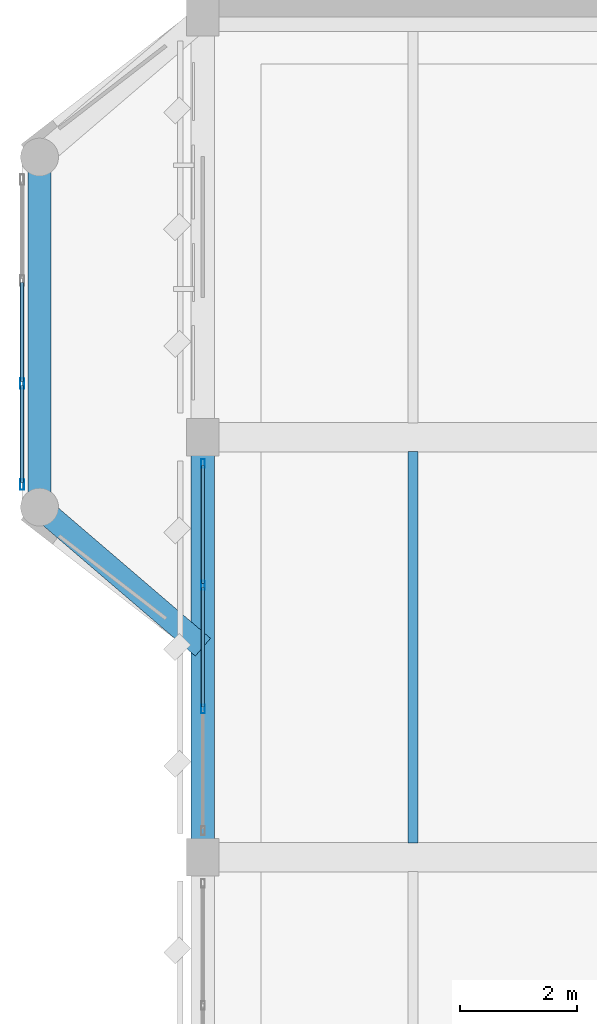
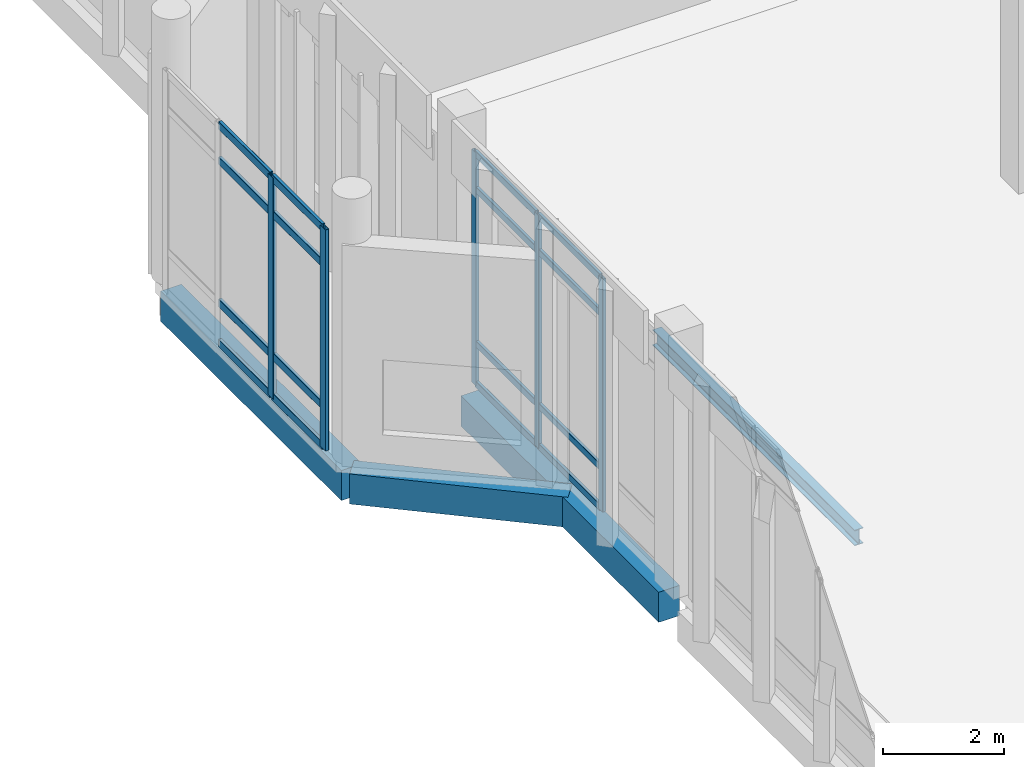
# One storey, part 23 of 180: 21 members, 4 beams, 2 elements without a shape of their own.
"""IFC4 building model written with IfcOpenShell, lengths in metres."""

from ifc_helpers import new_model, si_unit, direction, frame, origin, origin_2d, place, context, subcontext, project, spatial, rectangle, hollow_rectangle, i_section, extrude, material, material_profile, profile_set, type_object, element, aggregate, save


model = new_model("IFC4")

# Units and contexts
model_context = context("Model", 3, precision=1e-05, world=origin(), true_north=direction((0.0, 1.0)))
body_context = subcontext(model_context, "Body", "Model", "MODEL_VIEW")
ifc_project = project(units=[si_unit("LENGTHUNIT", "METRE"), si_unit("AREAUNIT", "SQUARE_METRE"), si_unit("VOLUMEUNIT", "CUBIC_METRE"), si_unit("PLANEANGLEUNIT", "RADIAN"), si_unit("MASSUNIT", "GRAM", prefix="KILO")], contexts=[model_context])

# Site, building, storey
site_placement = place(None, origin())
site = spatial("IfcSite", under=ifc_project, at=site_placement, CompositionType="ELEMENT")
building_placement = place(site_placement, origin())
building = spatial("IfcBuilding", under=site, at=building_placement, Name="Lusvemor Sports Hall", CompositionType="ELEMENT")
storey_placement = place(building_placement, frame((0.0, 0.0, 5.39990234375)))
storey = spatial("IfcBuildingStorey", under=building, at=storey_placement, Name="L01", CompositionType="ELEMENT", Elevation=5.39990234375)

# Curtain wall, members
ifc_material_1 = material(Name="Thermally broken bronze-anodized aluminium", Category="aluminium")
curtain_wall_type_1 = type_object("IfcCurtainWallType", Name="CW_FOYER_A", PredefinedType="NOTDEFINED", material=ifc_material_1)
curtain_wall_1_placement = place(storey_placement, origin())
curtain_wall_1 = element("IfcCurtainWall", 1, at=curtain_wall_1_placement, inside=storey, type_object=curtain_wall_type_1, Name="Curtain Wall CW-BOW-W1-L01-M", PredefinedType="NOTDEFINED")
ifc_material_2 = material(Name="Thermally broken bronze-anodized aluminium", Category="aluminium")
ifc_material_profile_1 = material_profile(ifc_material_2, hollow_rectangle(XDim=0.070068359375, YDim=0.179931640625, WallThickness=0.0048828125, InnerFilletRadius=0.0048828125, OuterFilletRadius=0.010009765625, at=origin_2d()), Name="CWMUL180x70x5")
ifc_profile_set_1 = profile_set([ifc_material_profile_1], Name="Thermally broken bronze-anodized aluminium")
member_type_1 = type_object("IfcMemberType", Name="CW_MUL_A", PredefinedType="MULLION", material=ifc_profile_set_1)
member_1_placement = place(storey_placement, frame((-3.10009765625, 60.385009765625, 0.0), z_axis=(0.0, 0.0, 1.0), x_axis=(-1.0, 0.0, 0.0)))
member_1 = element("IfcMember", 2, at=member_1_placement, type_object=member_type_1, Name="CW01 mullion 1", PredefinedType="MULLION", context=body_context, shape_type="SweptSolid", body=[
    extrude(hollow_rectangle(XDim=0.070068359375, YDim=0.179931640625, WallThickness=0.0048828125, InnerFilletRadius=0.0048828125, OuterFilletRadius=0.010009765625, at=origin_2d()), origin(), (0.0, 0.0, 1.0), 4.47998046875),
])
member_2_placement = place(storey_placement, frame((-3.10009765625, 62.11669921875, 0.0), z_axis=(0.0, 0.0, 1.0), x_axis=(-1.0, 0.0, 0.0)))
member_2 = element("IfcMember", 3, at=member_2_placement, type_object=member_type_1, Name="CW01 mullion 2", PredefinedType="MULLION", context=body_context, shape_type="SweptSolid", body=[
    extrude(hollow_rectangle(XDim=0.070068359375, YDim=0.179931640625, WallThickness=0.0048828125, InnerFilletRadius=0.0048828125, OuterFilletRadius=0.010009765625, at=origin_2d()), origin(), (0.0, 0.0, 1.0), 4.47998046875),
])

ifc_material_3 = material(Name="Thermally broken bronze-anodized aluminium", Category="aluminium")
curtain_wall_type_2 = type_object("IfcCurtainWallType", Name="CW_WING_B", PredefinedType="NOTDEFINED", material=ifc_material_3)
curtain_wall_2_placement = place(storey_placement, origin())
curtain_wall_2 = element("IfcCurtainWall", 4, at=curtain_wall_2_placement, inside=storey, type_object=curtain_wall_type_2, Name="Curtain Wall CW-L01-W-0-1", PredefinedType="NOTDEFINED")
ifc_material_4 = material(Name="Thermally broken bronze-anodized aluminium", Category="aluminium")
ifc_material_profile_2 = material_profile(ifc_material_4, hollow_rectangle(XDim=0.06494140625, YDim=0.14990234375, WallThickness=0.00390625, InnerFilletRadius=0.00390625, OuterFilletRadius=0.008056640625, at=origin_2d()), Name="CWMUL150x65x4")
ifc_profile_set_2 = profile_set([ifc_material_profile_2], Name="Thermally broken bronze-anodized aluminium")
member_type_2 = type_object("IfcMemberType", Name="CW_MUL_B", PredefinedType="MULLION", material=ifc_profile_set_2)
member_3_placement = place(storey_placement, frame((0.0, 56.5400390625, 0.0), z_axis=(0.0, 0.0, 1.0), x_axis=(-1.0, 0.0, 0.0)))
member_3 = element("IfcMember", 5, at=member_3_placement, type_object=member_type_2, Name="CW02 mullion 2", PredefinedType="MULLION", context=body_context, shape_type="SweptSolid", body=[
    extrude(hollow_rectangle(XDim=0.06494140625, YDim=0.14990234375, WallThickness=0.00390625, InnerFilletRadius=0.00390625, OuterFilletRadius=0.008056640625, at=origin_2d()), origin(), (0.0, 0.0, 1.0), 4.72021484375),
])
member_4_placement = place(storey_placement, frame((0.0, 58.659912109375, 0.0), z_axis=(0.0, 0.0, 1.0), x_axis=(-1.0, 0.0, 0.0)))
member_4 = element("IfcMember", 6, at=member_4_placement, type_object=member_type_2, Name="CW02 mullion 3", PredefinedType="MULLION", context=body_context, shape_type="SweptSolid", body=[
    extrude(hollow_rectangle(XDim=0.06494140625, YDim=0.14990234375, WallThickness=0.00390625, InnerFilletRadius=0.00390625, OuterFilletRadius=0.008056640625, at=origin_2d()), origin(), (0.0, 0.0, 1.0), 4.72021484375),
])
member_5_placement = place(storey_placement, frame((0.0, 60.74755859375, 0.0), z_axis=(0.0, 0.0, 1.0), x_axis=(-1.0, 0.0, 0.0)))
member_5 = element("IfcMember", 7, at=member_5_placement, type_object=member_type_2, Name="CW02 mullion 4", PredefinedType="MULLION", context=body_context, shape_type="SweptSolid", body=[
    extrude(hollow_rectangle(XDim=0.06494140625, YDim=0.14990234375, WallThickness=0.00390625, InnerFilletRadius=0.00390625, OuterFilletRadius=0.008056640625, at=origin_2d()), origin(), (0.0, 0.0, 1.0), 4.72021484375),
])

# Member
ifc_material_5 = material(Name="Thermally broken bronze-anodized aluminium", Category="aluminium")
ifc_material_profile_3 = material_profile(ifc_material_5, hollow_rectangle(XDim=0.06494140625, YDim=0.159912109375, WallThickness=0.00390625, InnerFilletRadius=0.00390625, OuterFilletRadius=0.008056640625, at=origin_2d()), Name="CWTRN160x65x4")
ifc_profile_set_3 = profile_set([ifc_material_profile_3], Name="Thermally broken bronze-anodized aluminium")
member_type_3 = type_object("IfcMemberType", Name="CW_TRN_A", PredefinedType="USERDEFINED", material=ifc_profile_set_3)
member_6_placement = place(storey_placement, frame((-3.10009765625, 60.419921875, 0.03271484375), z_axis=(0.0, 1.0, 0.0), x_axis=(-1.0, 0.0, 0.0)))
member_6 = element("IfcMember", 8, at=member_6_placement, type_object=member_type_3, Name="CW01 transom 1.1", ObjectType="TRANSOM", PredefinedType="USERDEFINED", context=body_context, shape_type="SweptSolid", body=[
    extrude(hollow_rectangle(XDim=0.06494140625, YDim=0.159912109375, WallThickness=0.00390625, InnerFilletRadius=0.00390625, OuterFilletRadius=0.008056640625, at=origin_2d()), origin(), (0.0, 0.0, 1.0), 1.661865234375),
])

member_7_placement = place(storey_placement, frame((-3.10009765625, 60.419921875, 0.85009765625), z_axis=(0.0, 1.0, 0.0), x_axis=(-1.0, 0.0, 0.0)))
member_7 = element("IfcMember", 9, at=member_7_placement, type_object=member_type_3, Name="CW01 transom 1.2", ObjectType="TRANSOM", PredefinedType="USERDEFINED", context=body_context, shape_type="SweptSolid", body=[
    extrude(hollow_rectangle(XDim=0.06494140625, YDim=0.159912109375, WallThickness=0.00390625, InnerFilletRadius=0.00390625, OuterFilletRadius=0.008056640625, at=origin_2d()), origin(), (0.0, 0.0, 1.0), 1.661865234375),
])

member_8_placement = place(storey_placement, frame((-3.10009765625, 60.419921875, 3.72998046875), z_axis=(0.0, 1.0, 0.0), x_axis=(-1.0, 0.0, 0.0)))
member_8 = element("IfcMember", 10, at=member_8_placement, type_object=member_type_3, Name="CW01 transom 1.3", ObjectType="TRANSOM", PredefinedType="USERDEFINED", context=body_context, shape_type="SweptSolid", body=[
    extrude(hollow_rectangle(XDim=0.06494140625, YDim=0.159912109375, WallThickness=0.00390625, InnerFilletRadius=0.00390625, OuterFilletRadius=0.008056640625, at=origin_2d()), origin(), (0.0, 0.0, 1.0), 1.661865234375),
])

member_9_placement = place(storey_placement, frame((-3.10009765625, 60.419921875, 4.447509765625), z_axis=(0.0, 1.0, 0.0), x_axis=(-1.0, 0.0, 0.0)))
member_9 = element("IfcMember", 11, at=member_9_placement, type_object=member_type_3, Name="CW01 transom 1.4", ObjectType="TRANSOM", PredefinedType="USERDEFINED", context=body_context, shape_type="SweptSolid", body=[
    extrude(hollow_rectangle(XDim=0.06494140625, YDim=0.159912109375, WallThickness=0.00390625, InnerFilletRadius=0.00390625, OuterFilletRadius=0.008056640625, at=origin_2d()), origin(), (0.0, 0.0, 1.0), 1.661865234375),
])

member_10_placement = place(storey_placement, frame((-3.10009765625, 62.151611328125, 0.03271484375), z_axis=(0.0, 1.0, 0.0), x_axis=(-1.0, 0.0, 0.0)))
member_10 = element("IfcMember", 12, at=member_10_placement, type_object=member_type_3, Name="CW01 transom 2.1", ObjectType="TRANSOM", PredefinedType="USERDEFINED", context=body_context, shape_type="SweptSolid", body=[
    extrude(hollow_rectangle(XDim=0.06494140625, YDim=0.159912109375, WallThickness=0.00390625, InnerFilletRadius=0.00390625, OuterFilletRadius=0.008056640625, at=origin_2d()), origin(), (0.0, 0.0, 1.0), 1.69677734375),
])

member_11_placement = place(storey_placement, frame((-3.10009765625, 62.151611328125, 0.85009765625), z_axis=(0.0, 1.0, 0.0), x_axis=(-1.0, 0.0, 0.0)))
member_11 = element("IfcMember", 13, at=member_11_placement, type_object=member_type_3, Name="CW01 transom 2.2", ObjectType="TRANSOM", PredefinedType="USERDEFINED", context=body_context, shape_type="SweptSolid", body=[
    extrude(hollow_rectangle(XDim=0.06494140625, YDim=0.159912109375, WallThickness=0.00390625, InnerFilletRadius=0.00390625, OuterFilletRadius=0.008056640625, at=origin_2d()), origin(), (0.0, 0.0, 1.0), 1.69677734375),
])

member_12_placement = place(storey_placement, frame((-3.10009765625, 62.151611328125, 3.72998046875), z_axis=(0.0, 1.0, 0.0), x_axis=(-1.0, 0.0, 0.0)))
member_12 = element("IfcMember", 14, at=member_12_placement, type_object=member_type_3, Name="CW01 transom 2.3", ObjectType="TRANSOM", PredefinedType="USERDEFINED", context=body_context, shape_type="SweptSolid", body=[
    extrude(hollow_rectangle(XDim=0.06494140625, YDim=0.159912109375, WallThickness=0.00390625, InnerFilletRadius=0.00390625, OuterFilletRadius=0.008056640625, at=origin_2d()), origin(), (0.0, 0.0, 1.0), 1.69677734375),
])

member_13_placement = place(storey_placement, frame((-3.10009765625, 62.151611328125, 4.447509765625), z_axis=(0.0, 1.0, 0.0), x_axis=(-1.0, 0.0, 0.0)))
member_13 = element("IfcMember", 15, at=member_13_placement, type_object=member_type_3, Name="CW01 transom 2.4", ObjectType="TRANSOM", PredefinedType="USERDEFINED", context=body_context, shape_type="SweptSolid", body=[
    extrude(hollow_rectangle(XDim=0.06494140625, YDim=0.159912109375, WallThickness=0.00390625, InnerFilletRadius=0.00390625, OuterFilletRadius=0.008056640625, at=origin_2d()), origin(), (0.0, 0.0, 1.0), 1.69677734375),
])

aggregate(curtain_wall_1, [member_1, member_2, member_6, member_7, member_8, member_9, member_10, member_11, member_12, member_13])

ifc_material_6 = material(Name="Thermally broken bronze-anodized aluminium", Category="aluminium")
ifc_material_profile_4 = material_profile(ifc_material_6, hollow_rectangle(XDim=0.06005859375, YDim=0.135009765625, WallThickness=0.00390625, InnerFilletRadius=0.00390625, OuterFilletRadius=0.008056640625, at=origin_2d()), Name="CWTRN135x60x4")
ifc_profile_set_4 = profile_set([ifc_material_profile_4], Name="Thermally broken bronze-anodized aluminium")
member_type_4 = type_object("IfcMemberType", Name="CW_TRN_B", PredefinedType="USERDEFINED", material=ifc_profile_set_4)
member_14_placement = place(storey_placement, frame((0.0, 56.572509765625, 0.030029296875), z_axis=(0.0, 1.0, 0.0), x_axis=(-1.0, 0.0, 0.0)))
member_14 = element("IfcMember", 16, at=member_14_placement, type_object=member_type_4, Name="CW02 transom 2.1", ObjectType="TRANSOM", PredefinedType="USERDEFINED", context=body_context, shape_type="SweptSolid", body=[
    extrude(hollow_rectangle(XDim=0.06005859375, YDim=0.135009765625, WallThickness=0.00390625, InnerFilletRadius=0.00390625, OuterFilletRadius=0.008056640625, at=origin_2d()), origin(), (0.0, 0.0, 1.0), 2.054931640625),
])

member_15_placement = place(storey_placement, frame((0.0, 56.572509765625, 0.85009765625), z_axis=(0.0, 1.0, 0.0), x_axis=(-1.0, 0.0, 0.0)))
member_15 = element("IfcMember", 17, at=member_15_placement, type_object=member_type_4, Name="CW02 transom 2.2", ObjectType="TRANSOM", PredefinedType="USERDEFINED", context=body_context, shape_type="SweptSolid", body=[
    extrude(hollow_rectangle(XDim=0.06005859375, YDim=0.135009765625, WallThickness=0.00390625, InnerFilletRadius=0.00390625, OuterFilletRadius=0.008056640625, at=origin_2d()), origin(), (0.0, 0.0, 1.0), 2.054931640625),
])

member_16_placement = place(storey_placement, frame((0.0, 56.572509765625, 3.97021484375), z_axis=(0.0, 1.0, 0.0), x_axis=(-1.0, 0.0, 0.0)))
member_16 = element("IfcMember", 18, at=member_16_placement, type_object=member_type_4, Name="CW02 transom 2.3", ObjectType="TRANSOM", PredefinedType="USERDEFINED", context=body_context, shape_type="SweptSolid", body=[
    extrude(hollow_rectangle(XDim=0.06005859375, YDim=0.135009765625, WallThickness=0.00390625, InnerFilletRadius=0.00390625, OuterFilletRadius=0.008056640625, at=origin_2d()), origin(), (0.0, 0.0, 1.0), 2.054931640625),
])

member_17_placement = place(storey_placement, frame((0.0, 56.572509765625, 4.690185546875), z_axis=(0.0, 1.0, 0.0), x_axis=(-1.0, 0.0, 0.0)))
member_17 = element("IfcMember", 19, at=member_17_placement, type_object=member_type_4, Name="CW02 transom 2.4", ObjectType="TRANSOM", PredefinedType="USERDEFINED", context=body_context, shape_type="SweptSolid", body=[
    extrude(hollow_rectangle(XDim=0.06005859375, YDim=0.135009765625, WallThickness=0.00390625, InnerFilletRadius=0.00390625, OuterFilletRadius=0.008056640625, at=origin_2d()), origin(), (0.0, 0.0, 1.0), 2.054931640625),
])

member_18_placement = place(storey_placement, frame((0.0, 58.6923828125, 0.030029296875), z_axis=(0.0, 1.0, 0.0), x_axis=(-1.0, 0.0, 0.0)))
member_18 = element("IfcMember", 20, at=member_18_placement, type_object=member_type_4, Name="CW02 transom 3.1", ObjectType="TRANSOM", PredefinedType="USERDEFINED", context=body_context, shape_type="SweptSolid", body=[
    extrude(hollow_rectangle(XDim=0.06005859375, YDim=0.135009765625, WallThickness=0.00390625, InnerFilletRadius=0.00390625, OuterFilletRadius=0.008056640625, at=origin_2d()), origin(), (0.0, 0.0, 1.0), 2.022705078125),
])

member_19_placement = place(storey_placement, frame((0.0, 58.6923828125, 0.85009765625), z_axis=(0.0, 1.0, 0.0), x_axis=(-1.0, 0.0, 0.0)))
member_19 = element("IfcMember", 21, at=member_19_placement, type_object=member_type_4, Name="CW02 transom 3.2", ObjectType="TRANSOM", PredefinedType="USERDEFINED", context=body_context, shape_type="SweptSolid", body=[
    extrude(hollow_rectangle(XDim=0.06005859375, YDim=0.135009765625, WallThickness=0.00390625, InnerFilletRadius=0.00390625, OuterFilletRadius=0.008056640625, at=origin_2d()), origin(), (0.0, 0.0, 1.0), 2.022705078125),
])

member_20_placement = place(storey_placement, frame((0.0, 58.6923828125, 3.97021484375), z_axis=(0.0, 1.0, 0.0), x_axis=(-1.0, 0.0, 0.0)))
member_20 = element("IfcMember", 22, at=member_20_placement, type_object=member_type_4, Name="CW02 transom 3.3", ObjectType="TRANSOM", PredefinedType="USERDEFINED", context=body_context, shape_type="SweptSolid", body=[
    extrude(hollow_rectangle(XDim=0.06005859375, YDim=0.135009765625, WallThickness=0.00390625, InnerFilletRadius=0.00390625, OuterFilletRadius=0.008056640625, at=origin_2d()), origin(), (0.0, 0.0, 1.0), 2.022705078125),
])

member_21_placement = place(storey_placement, frame((0.0, 58.6923828125, 4.690185546875), z_axis=(0.0, 1.0, 0.0), x_axis=(-1.0, 0.0, 0.0)))
member_21 = element("IfcMember", 23, at=member_21_placement, type_object=member_type_4, Name="CW02 transom 3.4", ObjectType="TRANSOM", PredefinedType="USERDEFINED", context=body_context, shape_type="SweptSolid", body=[
    extrude(hollow_rectangle(XDim=0.06005859375, YDim=0.135009765625, WallThickness=0.00390625, InnerFilletRadius=0.00390625, OuterFilletRadius=0.008056640625, at=origin_2d()), origin(), (0.0, 0.0, 1.0), 2.022705078125),
])

aggregate(curtain_wall_2, [member_3, member_4, member_5, member_14, member_15, member_16, member_17, member_18, member_19, member_20, member_21])

# Beams
ifc_material_7 = material(Name="Steel S355", Category="steel")
ifc_material_profile_5 = material_profile(ifc_material_7, i_section(OverallWidth=0.1669921875, OverallDepth=0.31689453125, WebThickness=0.007568359375, FlangeThickness=0.01318359375, FilletRadius=0.014892578125, at=origin_2d()), Name="W310x52.0")
ifc_profile_set_5 = profile_set([ifc_material_profile_5], Name="Steel S355")
beam_type_1 = type_object("IfcBeamType", Name="JOIST_ST_310M", PredefinedType="JOIST", material=ifc_profile_set_5)
beam_1_placement = place(storey_placement, frame((3.60009765625, 54.24609375, -0.42236328125), z_axis=(0.0, 1.0, 0.0), x_axis=(-1.0, 0.0, 0.0)))
element("IfcBeam", 24, at=beam_1_placement, inside=storey, type_object=beam_type_1, Name="Secondary Joist L01 1-2/G-H #1", PredefinedType="JOIST", context=body_context, shape_type="SweptSolid", body=[
    extrude(i_section(OverallWidth=0.1669921875, OverallDepth=0.31689453125, WebThickness=0.007568359375, FlangeThickness=0.01318359375, FilletRadius=0.014892578125, at=origin_2d()), origin(), (0.0, 0.0, 1.0), 6.7080078125),
])
ifc_material_8 = material(Name="Concrete C40/50", Category="concrete")
ifc_material_profile_6 = material_profile(ifc_material_8, rectangle(XDim=0.39990234375, YDim=0.610107421875, at=origin_2d()), Name="RC400x610")
ifc_profile_set_6 = profile_set([ifc_material_profile_6], Name="Concrete C40/50")
beam_type_2 = type_object("IfcBeamType", Name="SPAND_EXT_650", PredefinedType="SPANDREL", material=ifc_profile_set_6)
beam_2_placement = place(storey_placement, frame((0.0, 54.31591796875, -0.56494140625), z_axis=(0.0, 1.0, 0.0), x_axis=(-1.0, 0.0, 0.0)))
element("IfcBeam", 25, at=beam_2_placement, inside=storey, type_object=beam_type_2, Name="Beam L01 1:G-H", PredefinedType="SPANDREL", context=body_context, shape_type="SweptSolid", body=[
    extrude(rectangle(XDim=0.39990234375, YDim=0.610107421875, at=origin_2d()), origin(), (0.0, 0.0, 1.0), 6.568115234375),
])
beam_3_placement = place(storey_placement, frame((0.0, 57.60009765625, -0.56494140625), z_axis=(-0.759275294494, 0.650769565339, 0.0), x_axis=(-0.650769565339, -0.759275294494, 0.0)))
element("IfcBeam", 26, at=beam_3_placement, inside=storey, type_object=beam_type_2, Name="Bow Pavilion Edge Beam BOW-W1 L01-1", PredefinedType="SPANDREL", context=body_context, shape_type="SweptSolid", body=[
    extrude(rectangle(XDim=0.39990234375, YDim=0.610107421875, at=origin_2d()), origin(), (0.0, 0.0, 1.0), 3.687744140625),
])
beam_4_placement = place(storey_placement, frame((-2.800048828125, 60.0, -0.56494140625), z_axis=(0.0, 1.0, 0.0), x_axis=(-1.0, 0.0, 0.0)))
element("IfcBeam", 27, at=beam_4_placement, inside=storey, type_object=beam_type_2, Name="Bow Pavilion Edge Beam BOW-W1 L01-2", PredefinedType="SPANDREL", context=body_context, shape_type="SweptSolid", body=[
    extrude(rectangle(XDim=0.39990234375, YDim=0.610107421875, at=origin_2d()), origin(), (0.0, 0.0, 1.0), 6.0),
])

save(model, "model.ifc")
